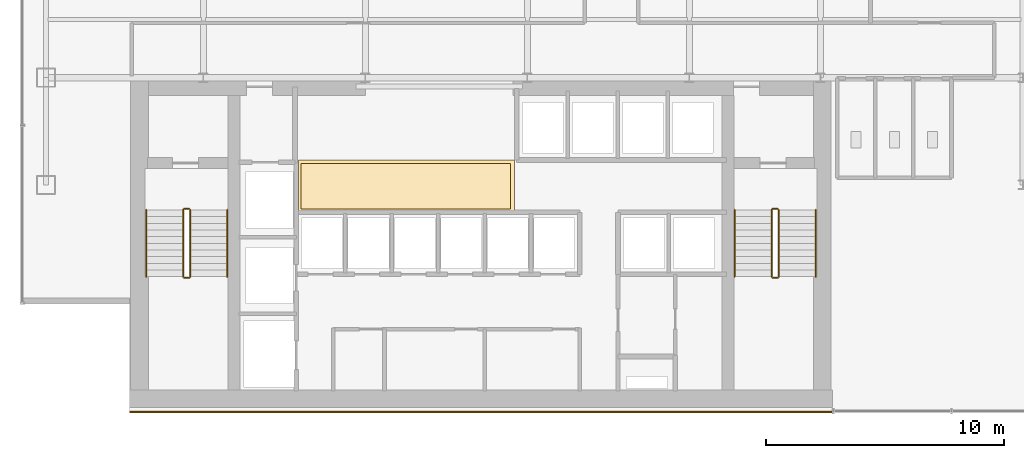
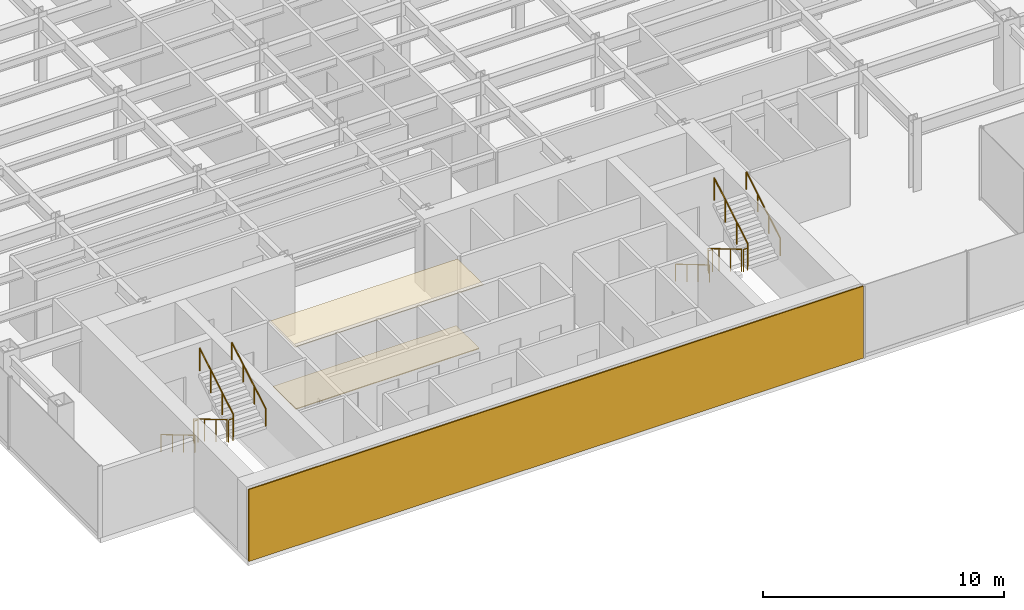
# One storey, part 24 of 26: 12 railings, 3 coverings.
"""IFC4 building model written with IfcOpenShell, lengths in metres."""

from ifc_helpers import new_model, si_unit, derived_unit, direction, frame, origin, origin_2d, place, context, subcontext, project, spatial, polyline, rectangle, circle, outline, extrude, source, transform, mapped, material, layer, layer_set, type_object, element, save


model = new_model("IFC4")

# Units and contexts
model_context = context("Model", 3, precision=1e-05, world=origin(), true_north=direction((0.0, 1.0)))
body_context = subcontext(model_context, "Body", "Model", "MODEL_VIEW")
ifc_project = project(units=[si_unit("LENGTHUNIT", "METRE"), si_unit("AREAUNIT", "SQUARE_METRE"), si_unit("VOLUMEUNIT", "CUBIC_METRE"), si_unit("PLANEANGLEUNIT", "RADIAN"), si_unit("MASSUNIT", "GRAM", prefix="KILO"), derived_unit("THERMALTRANSMITTANCEUNIT", [(si_unit("POWERUNIT", "WATT"), 1), (si_unit("LENGTHUNIT", "METRE"), -2), (si_unit("THERMODYNAMICTEMPERATUREUNIT", "KELVIN"), -1)])], contexts=[model_context])

# Site, building, storey
site_placement = place(None, origin())
site = spatial("IfcSite", under=ifc_project, at=site_placement, CompositionType="ELEMENT")
building_placement = place(site_placement, origin())
building = spatial("IfcBuilding", under=site, at=building_placement, Name="Skarnbrae Concourse Arena and Tower", CompositionType="ELEMENT")
storey_placement = place(building_placement, frame((0.0, 0.0, 114.199951171875)))
storey = spatial("IfcBuildingStorey", under=building, at=storey_placement, Name="L28", CompositionType="ELEMENT", Elevation=114.199951171875)

# Coverings
ifc_material_1 = material(Name="Mineral fibre acoustic ceiling tile", Category="other")
ifc_layer_1 = layer(ifc_material_1, 0.0400390625)
ifc_layer_set_1 = layer_set([ifc_layer_1], Name="Mineral fibre acoustic ceiling tile")
covering_type_1 = type_object("IfcCoveringType", Name="COV-CEIL-ACOUSTIC", PredefinedType="CEILING", material=ifc_layer_set_1)
covering_1_placement = place(storey_placement, frame((0.0, 0.0, 3.239990234375)))
element("IfcCovering", 1, at=covering_1_placement, inside=storey, type_object=covering_type_1, Name="L28 Lift lobby acoustic ceiling", PredefinedType="CEILING", context=body_context, shape_type="SweptSolid", body=[
    extrude(outline(polyline([(11.60009765625, 8.39990234375), (20.64990234375, 8.39990234375), (20.64990234375, 10.550048828125), (11.60009765625, 10.550048828125), (11.60009765625, 8.39990234375)])), origin(), (0.0, 0.0, 1.0), 0.0400390625),
])
ifc_material_2 = material(Name="Polished granite terrazzo flooring", Category="masonry")
ifc_layer_2 = layer(ifc_material_2, 0.0400390625)
ifc_layer_set_2 = layer_set([ifc_layer_2], Name="Polished granite terrazzo flooring")
covering_type_2 = type_object("IfcCoveringType", Name="COV-FLOOR-TERRAZZO", PredefinedType="FLOORING", material=ifc_layer_set_2)
covering_2_placement = place(storey_placement, origin())
element("IfcCovering", 2, at=covering_2_placement, inside=storey, type_object=covering_type_2, Name="L28 Lift lobby terrazzo flooring", PredefinedType="FLOORING", context=body_context, shape_type="SweptSolid", body=[
    extrude(outline(polyline([(11.699951171875, 8.5), (20.5, 8.5), (20.5, 10.39990234375), (11.699951171875, 10.39990234375), (11.699951171875, 8.5)])), origin(), (0.0, 0.0, 1.0), 0.0400390625),
])

# Railings
ifc_material_3 = material(Name="Steel CSA G40.21 350W", Category="steel")
railing_type_1 = type_object("IfcRailingType", Name="RAIL-HANDRAIL-900", PredefinedType="HANDRAIL", material=ifc_material_3)
railing_1_placement = place(storey_placement, frame((5.199951171875, 8.449951171875, 0.166015625)))
element("IfcRailing", 3, at=railing_1_placement, inside=storey, type_object=railing_type_1, Name="L28 ST-1 stair handrail 1", PredefinedType="HANDRAIL", context=body_context, shape_type="SweptSolid", body=[
    extrude(circle(Radius=0.02392578125, at=origin_2d()), frame((0.0, 0.0, 0.8759765625), z_axis=(0.0, -0.860339051648, 0.50972219513), x_axis=(1.0, 0.0, 0.0)), (0.0, 0.0, 1.0), 3.254638671875),
    extrude(circle(Radius=0.02099609375, at=origin_2d()), origin(), (0.0, 0.0, 1.0), 0.851806640625),
    extrude(circle(Radius=0.02099609375, at=origin_2d()), frame((0.0, -0.933349609375, 0.552978515625)), (0.0, 0.0, 1.0), 0.851806640625),
    extrude(circle(Radius=0.02099609375, at=origin_2d()), frame((0.0, -1.86669921875, 1.10595703125)), (0.0, 0.0, 1.0), 0.851806640625),
    extrude(circle(Radius=0.02099609375, at=origin_2d()), frame((0.0, -2.800048828125, 1.658935546875)), (0.0, 0.0, 1.0), 0.851806640625),
])
railing_2_placement = place(storey_placement, frame((8.60009765625, 5.64990234375, 1.990966796875)))
element("IfcRailing", 4, at=railing_2_placement, inside=storey, type_object=railing_type_1, Name="L28 ST-1 stair handrail 2", PredefinedType="HANDRAIL", context=body_context, shape_type="SweptSolid", body=[
    extrude(circle(Radius=0.02392578125, at=origin_2d()), frame((0.0, 0.0, 0.8759765625), z_axis=(0.0, 0.860306154799, 0.50977771628), x_axis=(-1.0, 0.0, 0.0)), (0.0, 0.0, 1.0), 3.254638671875),
    extrude(circle(Radius=0.02099609375, at=origin_2d()), origin(), (0.0, 0.0, 1.0), 0.851806640625),
    extrude(circle(Radius=0.02099609375, at=origin_2d()), frame((0.0, 0.933349609375, 0.552978515625)), (0.0, 0.0, 1.0), 0.851806640625),
    extrude(circle(Radius=0.02099609375, at=origin_2d()), frame((0.0, 1.86669921875, 1.106201171875)), (0.0, 0.0, 1.0), 0.851806640625),
    extrude(circle(Radius=0.02099609375, at=origin_2d()), frame((0.0, 2.800048828125, 1.6591796875)), (0.0, 0.0, 1.0), 0.851806640625),
])
railing_3_placement = place(storey_placement, frame((29.89990234375, 8.449951171875, 0.166015625)))
element("IfcRailing", 5, at=railing_3_placement, inside=storey, type_object=railing_type_1, Name="L28 ST-2 stair handrail 1", PredefinedType="HANDRAIL", context=body_context, shape_type="SweptSolid", body=[
    extrude(circle(Radius=0.02392578125, at=origin_2d()), frame((0.0, 0.0, 0.8759765625), z_axis=(0.0, -0.860339051648, 0.50972219513), x_axis=(1.0, 0.0, 0.0)), (0.0, 0.0, 1.0), 3.254638671875),
    extrude(circle(Radius=0.02099609375, at=origin_2d()), origin(), (0.0, 0.0, 1.0), 0.851806640625),
    extrude(circle(Radius=0.02099609375, at=origin_2d()), frame((0.0, -0.933349609375, 0.552978515625)), (0.0, 0.0, 1.0), 0.851806640625),
    extrude(circle(Radius=0.02099609375, at=origin_2d()), frame((0.0, -1.86669921875, 1.10595703125)), (0.0, 0.0, 1.0), 0.851806640625),
    extrude(circle(Radius=0.02099609375, at=origin_2d()), frame((0.0, -2.800048828125, 1.658935546875)), (0.0, 0.0, 1.0), 0.851806640625),
])
railing_4_placement = place(storey_placement, frame((33.300048828125, 5.64990234375, 1.990966796875)))
element("IfcRailing", 6, at=railing_4_placement, inside=storey, type_object=railing_type_1, Name="L28 ST-2 stair handrail 2", PredefinedType="HANDRAIL", context=body_context, shape_type="SweptSolid", body=[
    extrude(circle(Radius=0.02392578125, at=origin_2d()), frame((0.0, 0.0, 0.8759765625), z_axis=(0.0, 0.860306154799, 0.50977771628), x_axis=(-1.0, 0.0, 0.0)), (0.0, 0.0, 1.0), 3.254638671875),
    extrude(circle(Radius=0.02099609375, at=origin_2d()), origin(), (0.0, 0.0, 1.0), 0.851806640625),
    extrude(circle(Radius=0.02099609375, at=origin_2d()), frame((0.0, 0.933349609375, 0.552978515625)), (0.0, 0.0, 1.0), 0.851806640625),
    extrude(circle(Radius=0.02099609375, at=origin_2d()), frame((0.0, 1.86669921875, 1.106201171875)), (0.0, 0.0, 1.0), 0.851806640625),
    extrude(circle(Radius=0.02099609375, at=origin_2d()), frame((0.0, 2.800048828125, 1.6591796875)), (0.0, 0.0, 1.0), 0.851806640625),
])
railing_type_2 = type_object("IfcRailingType", Name="RAIL-STAIR-GUARD-1150", PredefinedType="GUARDRAIL", material=ifc_material_3)
railing_5_placement = place(storey_placement, frame((6.75, 8.449951171875, 0.166015625)))
element("IfcRailing", 7, at=railing_5_placement, inside=storey, type_object=railing_type_2, Name="L28 ST-1 stair guard 1", PredefinedType="GUARDRAIL", context=body_context, shape_type="SweptSolid", body=[
    extrude(circle(Radius=0.02392578125, at=origin_2d()), frame((0.0, 0.0, 1.1259765625), z_axis=(0.0, -0.860339051648, 0.50972219513), x_axis=(1.0, 0.0, 0.0)), (0.0, 0.0, 1.0), 3.254638671875),
    extrude(circle(Radius=0.02099609375, at=origin_2d()), origin(), (0.0, 0.0, 1.0), 1.101806640625),
    extrude(circle(Radius=0.02099609375, at=origin_2d()), frame((0.0, -0.933349609375, 0.552978515625)), (0.0, 0.0, 1.0), 1.101806640625),
    extrude(circle(Radius=0.02099609375, at=origin_2d()), frame((0.0, -1.86669921875, 1.10595703125)), (0.0, 0.0, 1.0), 1.101806640625),
    extrude(circle(Radius=0.02099609375, at=origin_2d()), frame((0.0, -2.800048828125, 1.658935546875)), (0.0, 0.0, 1.0), 1.101806640625),
])
railing_6_placement = place(storey_placement, frame((6.800048828125, 5.60009765625, 1.824951171875)))
element("IfcRailing", 8, at=railing_6_placement, inside=storey, type_object=railing_type_2, Name="L28 ST-1 stair guard 2", PredefinedType="GUARDRAIL", context=body_context, shape_type="SweptSolid", body=[
    extrude(circle(Radius=0.02392578125, at=origin_2d()), frame((0.0, 0.0, 1.1259765625), z_axis=(1.0, 0.0, 0.0), x_axis=(0.0, 1.0, 0.0)), (0.0, 0.0, 1.0), 0.199951171875),
    extrude(circle(Radius=0.02099609375, at=origin_2d()), origin(), (0.0, 0.0, 1.0), 1.101806640625),
    extrude(circle(Radius=0.02099609375, at=origin_2d()), frame((0.199951171875, 0.0, 0.0)), (0.0, 0.0, 1.0), 1.101806640625),
])
railing_7_placement = place(storey_placement, frame((7.050048828125, 5.64990234375, 1.990966796875)))
element("IfcRailing", 9, at=railing_7_placement, inside=storey, type_object=railing_type_2, Name="L28 ST-1 stair guard 3", PredefinedType="GUARDRAIL", context=body_context, shape_type="SweptSolid", body=[
    extrude(circle(Radius=0.02392578125, at=origin_2d()), frame((0.0, 0.0, 1.1259765625), z_axis=(0.0, 0.860306154799, 0.50977771628), x_axis=(-1.0, 0.0, 0.0)), (0.0, 0.0, 1.0), 3.254638671875),
    extrude(circle(Radius=0.02099609375, at=origin_2d()), origin(), (0.0, 0.0, 1.0), 1.101806640625),
    extrude(circle(Radius=0.02099609375, at=origin_2d()), frame((0.0, 0.933349609375, 0.552978515625)), (0.0, 0.0, 1.0), 1.101806640625),
    extrude(circle(Radius=0.02099609375, at=origin_2d()), frame((0.0, 1.86669921875, 1.106201171875)), (0.0, 0.0, 1.0), 1.101806640625),
    extrude(circle(Radius=0.02099609375, at=origin_2d()), frame((0.0, 2.800048828125, 1.6591796875)), (0.0, 0.0, 1.0), 1.101806640625),
])
railing_8_placement = place(storey_placement, frame((6.800048828125, 8.5, 0.0)))
element("IfcRailing", 10, at=railing_8_placement, inside=storey, type_object=railing_type_2, Name="L28 ST-1 stair guard 4", PredefinedType="GUARDRAIL", context=body_context, shape_type="SweptSolid", body=[
    extrude(circle(Radius=0.02392578125, at=origin_2d()), frame((0.0, 0.0, 1.1259765625), z_axis=(1.0, 0.0, 0.0), x_axis=(0.0, 1.0, 0.0)), (0.0, 0.0, 1.0), 0.199951171875),
    extrude(circle(Radius=0.02099609375, at=origin_2d()), origin(), (0.0, 0.0, 1.0), 1.101806640625),
    extrude(circle(Radius=0.02099609375, at=origin_2d()), frame((0.199951171875, 0.0, 0.0)), (0.0, 0.0, 1.0), 1.101806640625),
])
railing_9_placement = place(storey_placement, frame((31.449951171875, 8.449951171875, 0.166015625)))
element("IfcRailing", 11, at=railing_9_placement, inside=storey, type_object=railing_type_2, Name="L28 ST-2 stair guard 1", PredefinedType="GUARDRAIL", context=body_context, shape_type="SweptSolid", body=[
    extrude(circle(Radius=0.02392578125, at=origin_2d()), frame((0.0, 0.0, 1.1259765625), z_axis=(0.0, -0.860339051648, 0.50972219513), x_axis=(1.0, 0.0, 0.0)), (0.0, 0.0, 1.0), 3.254638671875),
    extrude(circle(Radius=0.02099609375, at=origin_2d()), origin(), (0.0, 0.0, 1.0), 1.101806640625),
    extrude(circle(Radius=0.02099609375, at=origin_2d()), frame((0.0, -0.933349609375, 0.552978515625)), (0.0, 0.0, 1.0), 1.101806640625),
    extrude(circle(Radius=0.02099609375, at=origin_2d()), frame((0.0, -1.86669921875, 1.10595703125)), (0.0, 0.0, 1.0), 1.101806640625),
    extrude(circle(Radius=0.02099609375, at=origin_2d()), frame((0.0, -2.800048828125, 1.658935546875)), (0.0, 0.0, 1.0), 1.101806640625),
])
railing_10_placement = place(storey_placement, frame((31.5, 5.60009765625, 1.824951171875)))
element("IfcRailing", 12, at=railing_10_placement, inside=storey, type_object=railing_type_2, Name="L28 ST-2 stair guard 2", PredefinedType="GUARDRAIL", context=body_context, shape_type="SweptSolid", body=[
    extrude(circle(Radius=0.02392578125, at=origin_2d()), frame((0.0, 0.0, 1.1259765625), z_axis=(1.0, 0.0, 0.0), x_axis=(0.0, 1.0, 0.0)), (0.0, 0.0, 1.0), 0.199951171875),
    extrude(circle(Radius=0.02099609375, at=origin_2d()), origin(), (0.0, 0.0, 1.0), 1.101806640625),
    extrude(circle(Radius=0.02099609375, at=origin_2d()), frame((0.199951171875, 0.0, 0.0)), (0.0, 0.0, 1.0), 1.101806640625),
])
railing_11_placement = place(storey_placement, frame((31.75, 5.64990234375, 1.990966796875)))
element("IfcRailing", 13, at=railing_11_placement, inside=storey, type_object=railing_type_2, Name="L28 ST-2 stair guard 3", PredefinedType="GUARDRAIL", context=body_context, shape_type="SweptSolid", body=[
    extrude(circle(Radius=0.02392578125, at=origin_2d()), frame((0.0, 0.0, 1.1259765625), z_axis=(0.0, 0.860306154799, 0.50977771628), x_axis=(-1.0, 0.0, 0.0)), (0.0, 0.0, 1.0), 3.254638671875),
    extrude(circle(Radius=0.02099609375, at=origin_2d()), origin(), (0.0, 0.0, 1.0), 1.101806640625),
    extrude(circle(Radius=0.02099609375, at=origin_2d()), frame((0.0, 0.933349609375, 0.552978515625)), (0.0, 0.0, 1.0), 1.101806640625),
    extrude(circle(Radius=0.02099609375, at=origin_2d()), frame((0.0, 1.86669921875, 1.106201171875)), (0.0, 0.0, 1.0), 1.101806640625),
    extrude(circle(Radius=0.02099609375, at=origin_2d()), frame((0.0, 2.800048828125, 1.6591796875)), (0.0, 0.0, 1.0), 1.101806640625),
])
railing_12_placement = place(storey_placement, frame((31.5, 8.5, 0.0)))
element("IfcRailing", 14, at=railing_12_placement, inside=storey, type_object=railing_type_2, Name="L28 ST-2 stair guard 4", PredefinedType="GUARDRAIL", context=body_context, shape_type="SweptSolid", body=[
    extrude(circle(Radius=0.02392578125, at=origin_2d()), frame((0.0, 0.0, 1.1259765625), z_axis=(1.0, 0.0, 0.0), x_axis=(0.0, 1.0, 0.0)), (0.0, 0.0, 1.0), 0.199951171875),
    extrude(circle(Radius=0.02099609375, at=origin_2d()), origin(), (0.0, 0.0, 1.0), 1.101806640625),
    extrude(circle(Radius=0.02099609375, at=origin_2d()), frame((0.199951171875, 0.0, 0.0)), (0.0, 0.0, 1.0), 1.101806640625),
])

# Covering
ifc_material_4 = material(Name="Bronze anodised aluminium 6063-T6", Category="aluminium")
ifc_layer_3 = layer(ifc_material_4, 0.06005859375)
ifc_layer_set_3 = layer_set([ifc_layer_3], Name="Bronze anodised aluminium 6063-T6")
covering_type_3 = type_object("IfcCoveringType", Name="COV-CLAD-BRONZE-60", PredefinedType="CLADDING", material=ifc_layer_set_3)
shared_shape = source(origin(), body_context, "Body", "SweptSolid", [
    extrude(rectangle(XDim=29.5, YDim=0.06005859375, at=origin_2d()), origin(), (0.0, 0.0, 1.0), 3.64990234375),
])
covering_3_placement = place(storey_placement, frame((19.25, -0.030029296875, 0.0), z_axis=(0.0, 0.0, 1.0), x_axis=(1.0, 0.0, 0.0)))
element("IfcCovering", 15, at=covering_3_placement, inside=storey, type_object=covering_type_3, Name="L28 Rear-core plumb spine bronze rainscreen panel", PredefinedType="CLADDING", context=body_context, shape_type="MappedRepresentation", body=[
    mapped(shared_shape, transform((0.0, 0.0, 0.0))),
])

save(model, "model.ifc")
